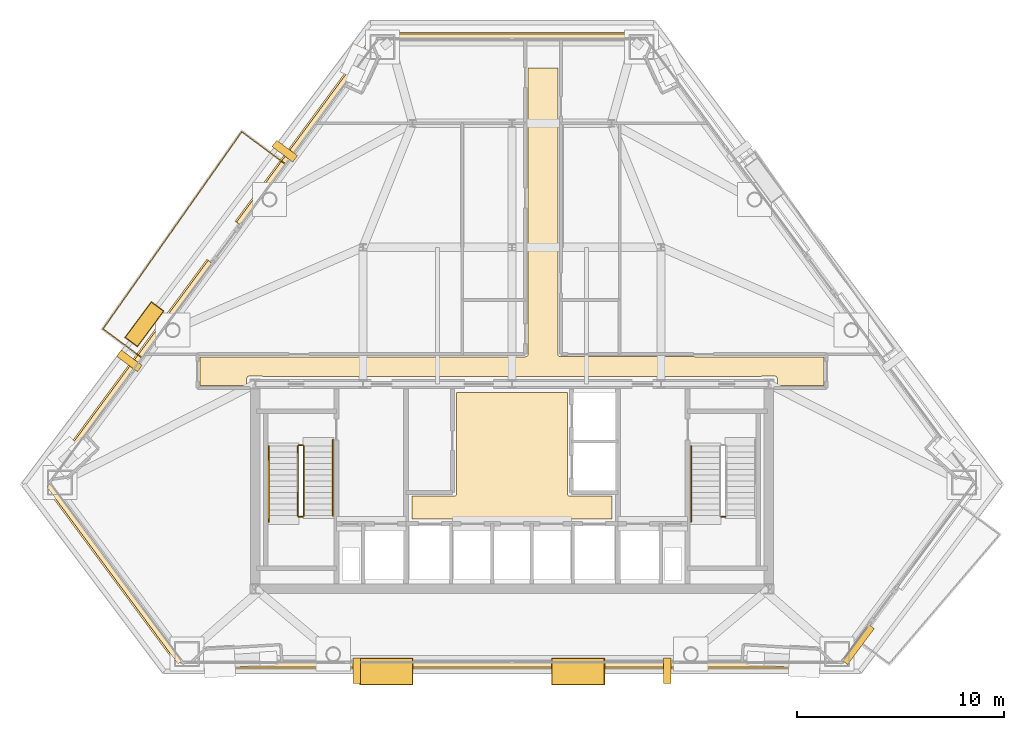
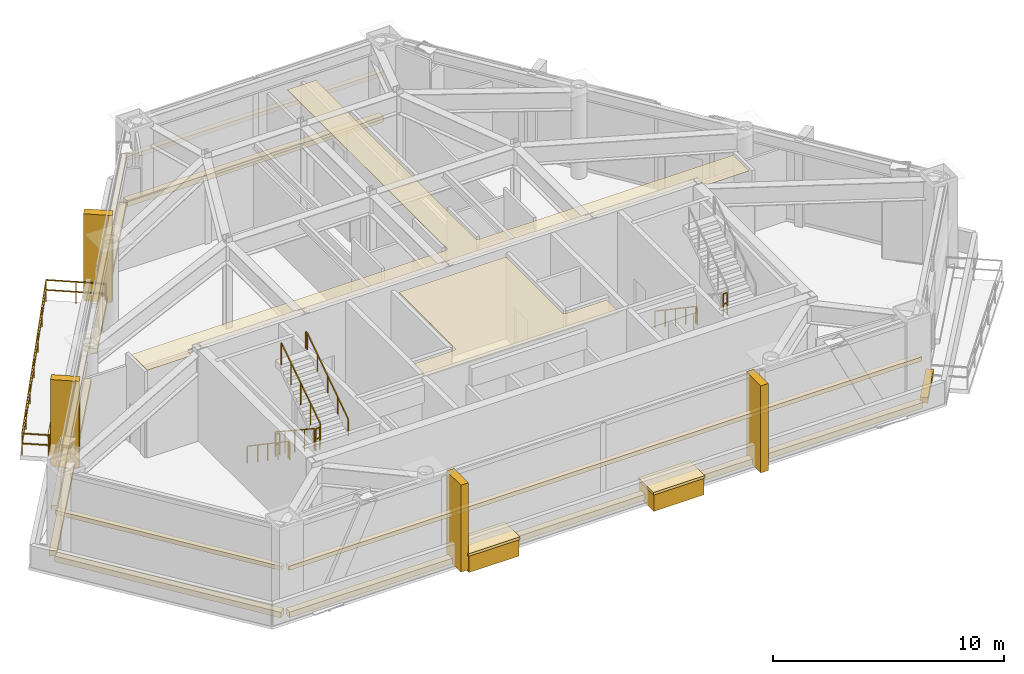
# One storey, part 8 of 9: 23 coverings, 9 railings.
"""IFC4 building model written with IfcOpenShell, lengths in metres."""

from ifc_helpers import new_model, si_unit, direction, frame, origin, origin_2d, place, context, subcontext, project, spatial, polyline, rectangle, outline, extrude, material, layer, layer_set, type_object, element, save


model = new_model("IFC4")

# Units and contexts
model_context = context("Model", 3, precision=1e-05, world=origin(), true_north=direction((0.0, 1.0)))
body_context = subcontext(model_context, "Body", "Model", "MODEL_VIEW")
ifc_project = project(units=[si_unit("LENGTHUNIT", "METRE"), si_unit("AREAUNIT", "SQUARE_METRE"), si_unit("VOLUMEUNIT", "CUBIC_METRE"), si_unit("PLANEANGLEUNIT", "RADIAN"), si_unit("MASSUNIT", "GRAM", prefix="KILO")], contexts=[model_context])

# Site, building, storey
site_placement = place(None, origin())
site = spatial("IfcSite", under=ifc_project, at=site_placement, CompositionType="ELEMENT")
building_placement = place(site_placement, origin())
building = spatial("IfcBuilding", under=site, at=building_placement, Name="Talgorran Terracotta Tower", CompositionType="ELEMENT")
storey_placement = place(building_placement, frame((0.0, 0.0, 94.800048828125)))
storey = spatial("IfcBuildingStorey", under=building, at=storey_placement, Name="L24", CompositionType="ELEMENT", Elevation=94.800048828125)

# Coverings
ifc_material_1 = material(Name="Kiln-Fired Terracotta Ochre Ceramic", Category="masonry")
ifc_layer_1 = layer(ifc_material_1, 0.179931640625, Name="COV_BAGUETTE_TERRACOTTA_SCREEN")
ifc_layer_set_1 = layer_set([ifc_layer_1], Name="Kiln-Fired Terracotta Ochre Ceramic")
covering_type_1 = type_object("IfcCoveringType", Name="COV_BAGUETTE_TERRACOTTA_SCREEN", PredefinedType="CLADDING", material=ifc_layer_set_1)
covering_1_placement = place(storey_placement, frame((-19.203857421875, -13.366455078125, 2.41015625), z_axis=(0.0, 0.0, 1.0), x_axis=(0.595173478841, -0.803597243702, 0.0)))
element("IfcCovering", 1, at=covering_1_placement, inside=storey, type_object=covering_type_1, Name="L24 Terracotta Baguette Solar Screen Assembly F0", PredefinedType="CLADDING", context=body_context, shape_type="SweptSolid", body=[
    extrude(rectangle(XDim=10.6748046875, YDim=0.260009765625, at=origin_2d()), origin(), (0.0, 0.0, 1.0), 0.219970703125),
])
covering_2_placement = place(storey_placement, frame((0.0, -17.752197265625, 2.41015625), z_axis=(0.0, 0.0, 1.0), x_axis=(1.0, 0.0, 0.0)))
element("IfcCovering", 2, at=covering_2_placement, inside=storey, type_object=covering_type_1, Name="L24 Terracotta Baguette Solar Screen Assembly F1", PredefinedType="CLADDING", context=body_context, shape_type="SweptSolid", body=[
    extrude(rectangle(XDim=31.670166015625, YDim=0.260009765625, at=origin_2d()), origin(), (0.0, 0.0, 1.0), 0.219970703125),
])
covering_3_placement = place(storey_placement, frame((0.0, 12.574951171875, 2.41015625), z_axis=(0.0, 0.0, 1.0), x_axis=(-1.0, 0.0, 0.0)))
element("IfcCovering", 3, at=covering_3_placement, inside=storey, type_object=covering_type_1, Name="L24 Terracotta Baguette Solar Screen Assembly F4", PredefinedType="CLADDING", context=body_context, shape_type="SweptSolid", body=[
    extrude(rectangle(XDim=12.790283203125, YDim=0.260009765625, at=origin_2d()), origin(), (0.0, 0.0, 1.0), 0.219970703125),
])
covering_4_placement = place(storey_placement, frame((-9.908203125, 7.993896484375, 2.41015625), z_axis=(0.0, 0.0, 1.0), x_axis=(-0.595173478841, -0.803597243702, 0.0)))
element("IfcCovering", 4, at=covering_4_placement, inside=storey, type_object=covering_type_1, Name="L24 Terracotta Baguette Solar Screen Assembly F60", PredefinedType="CLADDING", context=body_context, shape_type="SweptSolid", body=[
    extrude(rectangle(XDim=11.080322265625, YDim=0.260009765625, at=origin_2d()), origin(), (0.0, 0.0, 1.0), 0.219970703125),
])
covering_5_placement = place(storey_placement, frame((-18.465576171875, -3.56005859375, 2.41015625), z_axis=(0.0, 0.0, 1.0), x_axis=(-0.595173478841, -0.803597243702, 0.0)))
element("IfcCovering", 5, at=covering_5_placement, inside=storey, type_object=covering_type_1, Name="L24 Terracotta Baguette Solar Screen Assembly F61", PredefinedType="CLADDING", context=body_context, shape_type="SweptSolid", body=[
    extrude(rectangle(XDim=13.075439453125, YDim=0.260009765625, at=origin_2d()), origin(), (0.0, 0.0, 1.0), 0.219970703125),
])
ifc_material_2 = material(Name="Mineral Fibre Acoustic Tile")
ifc_layer_2 = layer(ifc_material_2, 0.02490234375, Name="COV_CEIL_ACOUSTIC")
ifc_layer_set_2 = layer_set([ifc_layer_2], Name="Mineral Fibre Acoustic Tile")
covering_type_2 = type_object("IfcCoveringType", Name="COV_CEIL_ACOUSTIC", PredefinedType="CEILING", material=ifc_layer_set_2)
covering_6_placement = place(storey_placement, frame((0.0, 0.0, 4.4599609375)))
element("IfcCovering", 6, at=covering_6_placement, inside=storey, type_object=covering_type_2, Name="CEIL-L24-2", PredefinedType="CEILING", context=body_context, shape_type="SweptSolid", body=[
    extrude(outline(polyline([(-12.788818359375, -3.878662109375), (-12.79296875, -3.882568359375), (-12.80078125, -3.89111328125), (-12.806396484375, -3.89794921875), (-12.813720703125, -3.907470703125), (-12.819580078125, -3.91748046875), (-12.82470703125, -3.927978515625), (-12.82861328125, -3.939208984375), (-12.83154296875, -3.95068359375), (-12.833251953125, -3.962158203125), (-12.833984375, -3.97412109375), (-12.834716796875, -4.264892578125), (-15.06494140625, -4.264892578125), (-15.06494140625, -2.885009765625), (0.64990234375, -2.885009765625), (0.66162109375, -2.884521484375), (0.67333984375, -2.8828125), (0.6845703125, -2.8798828125), (0.69287109375, -2.87744140625), (0.7041015625, -2.87353515625), (0.714599609375, -2.868408203125), (0.724853515625, -2.8623046875), (0.734375, -2.85546875), (0.742919921875, -2.847412109375), (0.7509765625, -2.8388671875), (0.756591796875, -2.83203125), (0.763671875, -2.822509765625), (0.769775390625, -2.8125), (0.774658203125, -2.8017578125), (0.77880859375, -2.79052734375), (0.781494140625, -2.779296875), (0.783203125, -2.767578125), (0.783935546875, -2.755615234375), (0.784912109375, 11.06494140625), (2.215087890625, 11.06494140625), (2.215087890625, -2.75), (2.215576171875, -2.76171875), (2.21728515625, -2.773193359375), (2.22021484375, -2.78466796875), (2.22265625, -2.79296875), (2.2265625, -2.803955078125), (2.231689453125, -2.814697265625), (2.237548828125, -2.82470703125), (2.24462890625, -2.834228515625), (2.25244140625, -2.843017578125), (2.26123046875, -2.850830078125), (2.26806640625, -2.8564453125), (2.277587890625, -2.863525390625), (2.28759765625, -2.86962890625), (2.29833984375, -2.874755859375), (2.309326171875, -2.878662109375), (2.32080078125, -2.881591796875), (2.33251953125, -2.88330078125), (2.34423828125, -2.8837890625), (15.06494140625, -2.885009765625), (15.06494140625, -4.264892578125), (12.8349609375, -4.264892578125), (12.834716796875, -3.97705078125), (12.833984375, -3.96533203125), (12.83251953125, -3.95361328125), (12.82958984375, -3.9423828125), (12.82568359375, -3.931396484375), (12.820556640625, -3.920654296875), (12.81640625, -3.9130859375), (12.810302734375, -3.90283203125), (12.803466796875, -3.893310546875), (12.79541015625, -3.884521484375), (12.78857421875, -3.87841796875), (12.785888671875, -3.872314453125), (12.77978515625, -3.8623046875), (12.772705078125, -3.852783203125), (12.764892578125, -3.843994140625), (12.756103515625, -3.836181640625), (12.74658203125, -3.8291015625), (12.736572265625, -3.8232421875), (12.725830078125, -3.818115234375), (12.71484375, -3.814208984375), (12.703369140625, -3.811279296875), (12.69189453125, -3.8095703125), (12.679931640625, -3.80908203125), (12.1201171875, -3.80908203125), (12.108154296875, -3.8095703125), (12.0966796875, -3.811279296875), (12.085205078125, -3.814208984375), (12.07421875, -3.818115234375), (12.0634765625, -3.8232421875), (12.05322265625, -3.8291015625), (12.0439453125, -3.836181640625), (12.03515625, -3.843994140625), (12.034423828125, -3.844970703125), (7.432861328125, -3.844970703125), (6.968017578125, -3.843017578125), (6.967529296875, -3.843017578125), (0.232666015625, -3.844970703125), (-0.23193359375, -3.843017578125), (-0.232421875, -3.843017578125), (-6.96728515625, -3.844970703125), (-7.431884765625, -3.843017578125), (-7.4326171875, -3.843017578125), (-12.034423828125, -3.844970703125), (-12.03515625, -3.843994140625), (-12.0439453125, -3.836181640625), (-12.05322265625, -3.8291015625), (-12.0634765625, -3.8232421875), (-12.07421875, -3.818115234375), (-12.085205078125, -3.814208984375), (-12.0966796875, -3.811279296875), (-12.108154296875, -3.8095703125), (-12.1201171875, -3.80908203125), (-12.679931640625, -3.80908203125), (-12.69189453125, -3.8095703125), (-12.703369140625, -3.811279296875), (-12.71484375, -3.814208984375), (-12.725830078125, -3.818115234375), (-12.736572265625, -3.8232421875), (-12.74658203125, -3.8291015625), (-12.756103515625, -3.836181640625), (-12.764892578125, -3.843994140625), (-12.772705078125, -3.852783203125), (-12.77978515625, -3.8623046875), (-12.785888671875, -3.872314453125), (-12.788818359375, -3.878662109375)])), origin(), (0.0, 0.0, 1.0), 0.02001953125),
])
ifc_material_3 = material(Name="Flush Moisture-Resistant Plaster")
ifc_layer_3 = layer(ifc_material_3, 0.01806640625, Name="COV_CEIL_PLASTER")
ifc_layer_set_3 = layer_set([ifc_layer_3], Name="Flush Moisture-Resistant Plaster")
covering_type_3 = type_object("IfcCoveringType", Name="COV_CEIL_PLASTER", PredefinedType="CEILING", material=ifc_layer_set_3)
covering_7_placement = place(storey_placement, frame((0.0, 0.0, 4.4599609375)))
element("IfcCovering", 7, at=covering_7_placement, inside=storey, type_object=covering_type_3, Name="CEIL-L24-1", PredefinedType="CEILING", context=body_context, shape_type="SweptSolid", body=[
    extrude(outline(polyline([(-4.830078125, -9.6201171875), (-2.800048828125, -9.6201171875), (-2.7880859375, -9.619384765625), (-2.776611328125, -9.61767578125), (-2.76513671875, -9.61474609375), (-2.754150390625, -9.61083984375), (-2.743408203125, -9.605712890625), (-2.7333984375, -9.599853515625), (-2.723876953125, -9.5927734375), (-2.715087890625, -9.5849609375), (-2.707275390625, -9.576171875), (-2.7001953125, -9.566650390625), (-2.694091796875, -9.556640625), (-2.689208984375, -9.5458984375), (-2.685302734375, -9.534912109375), (-2.682373046875, -9.5234375), (-2.6806640625, -9.51171875), (-2.679931640625, -9.5), (-2.679931640625, -4.6201171875), (2.679931640625, -4.6201171875), (2.679931640625, -9.5), (2.6806640625, -9.51171875), (2.682373046875, -9.5234375), (2.685302734375, -9.534912109375), (2.689208984375, -9.5458984375), (2.694091796875, -9.556640625), (2.7001953125, -9.566650390625), (2.707275390625, -9.576171875), (2.715087890625, -9.5849609375), (2.723876953125, -9.5927734375), (2.7333984375, -9.599853515625), (2.743408203125, -9.605712890625), (2.754150390625, -9.61083984375), (2.76513671875, -9.61474609375), (2.776611328125, -9.61767578125), (2.7880859375, -9.619384765625), (2.800048828125, -9.6201171875), (4.830078125, -9.6201171875), (4.830078125, -10.72998046875), (-4.830078125, -10.72998046875), (-4.830078125, -9.6201171875)])), origin(), (0.0, 0.0, 1.0), 0.02001953125),
])
ifc_material_4 = material(Name="Honed Limestone and Terracotta Planter", Category="masonry")
ifc_layer_4 = layer(ifc_material_4, 0.1201171875, Name="COV_PLANTER_BOX")
ifc_layer_set_4 = layer_set([ifc_layer_4], Name="Honed Limestone and Terracotta Planter")
covering_type_4 = type_object("IfcCoveringType", Name="COV_PLANTER_BOX", PredefinedType="CLADDING", material=ifc_layer_set_4)
for number, where, z_axis, x_axis, name in (
    (8, (3.193115234375, -18.09228515625, -0.179931640625), (0.0, 0.0, 1.0), (1.0, 0.0, 0.0), "L24 Staggered South Facade Planter Box 1"),
    (9, (-6.06689453125, -18.09228515625, -0.179931640625), (0.0, 0.0, 1.0), (1.0, 0.0, 0.0), "L24 Staggered South Facade Planter Box 2"),
):
    element("IfcCovering", number, at=place(storey_placement, frame(where, z_axis=z_axis, x_axis=x_axis)), inside=storey, type_object=covering_type_4, Name=name, PredefinedType="CLADDING", context=body_context, shape_type="SweptSolid", body=[
        extrude(rectangle(XDim=2.5, YDim=1.25, at=origin_2d()), origin(), (0.0, 0.0, 1.0), 0.919921875),
    ])
covering_8_placement = place(storey_placement, frame((-17.760498046875, -1.314208984375, -0.02001953125), z_axis=(0.0, 0.0, 1.0), x_axis=(-0.595173478841, -0.803597243702, 0.0)))
element("IfcCovering", 10, at=covering_8_placement, inside=storey, type_object=covering_type_4, Name="L24 Staggered Balcony Planter Box BAL-NW", PredefinedType="CLADDING", context=body_context, shape_type="SweptSolid", body=[
    extrude(rectangle(XDim=2.10009765625, YDim=0.719970703125, at=origin_2d()), origin(), (0.0, 0.0, 1.0), 0.860107421875),
])
ifc_material_5 = material(Name="Kiln-Fired Terracotta Planter Rim", Category="masonry")
ifc_layer_5 = layer(ifc_material_5, 0.10009765625, Name="COV_PLANTER_RIM")
ifc_layer_set_5 = layer_set([ifc_layer_5], Name="Kiln-Fired Terracotta Planter Rim")
covering_type_5 = type_object("IfcCoveringType", Name="COV_PLANTER_RIM", PredefinedType="CLADDING", material=ifc_layer_set_5)
for number, where, z_axis, x_axis, name in (
    (11, (3.193115234375, -18.09228515625, 0.7099609375), (0.0, 0.0, 1.0), (1.0, 0.0, 0.0), "L24 South Planter Terracotta Rim 1"),
    (12, (-6.06689453125, -18.09228515625, 0.7099609375), (0.0, 0.0, 1.0), (1.0, 0.0, 0.0), "L24 South Planter Terracotta Rim 2"),
):
    element("IfcCovering", number, at=place(storey_placement, frame(where, z_axis=z_axis, x_axis=x_axis)), inside=storey, type_object=covering_type_5, Name=name, PredefinedType="CLADDING", context=body_context, shape_type="SweptSolid", body=[
        extrude(rectangle(XDim=2.580078125, YDim=1.320068359375, at=origin_2d()), origin(), (0.0, 0.0, 1.0), 0.139892578125),
    ])
covering_9_placement = place(storey_placement, frame((-17.760498046875, -1.314208984375, 0.7998046875), z_axis=(0.0, 0.0, 1.0), x_axis=(-0.595173478841, -0.803597243702, 0.0)))
element("IfcCovering", 13, at=covering_9_placement, inside=storey, type_object=covering_type_5, Name="L24 Balcony Planter Terracotta Rim BAL-NW", PredefinedType="CLADDING", context=body_context, shape_type="SweptSolid", body=[
    extrude(rectangle(XDim=2.179931640625, YDim=0.780029296875, at=origin_2d()), origin(), (0.0, 0.0, 1.0), 0.1201171875),
])
ifc_material_6 = material(Name="Honed Limestone Cladding", Category="masonry")
ifc_layer_6 = layer(ifc_material_6, 0.094970703125, Name="COV_PORTAL_LIME")
ifc_layer_set_6 = layer_set([ifc_layer_6], Name="Honed Limestone Cladding")
covering_type_6 = type_object("IfcCoveringType", Name="COV_PORTAL_LIME", PredefinedType="CLADDING", material=ifc_layer_set_6)
covering_10_placement = place(storey_placement, frame((-19.236083984375, -13.39013671875, -0.0400390625), z_axis=(0.0, 0.0, 1.0), x_axis=(0.595173478841, -0.803597243702, 0.0)))
element("IfcCovering", 14, at=covering_10_placement, inside=storey, type_object=covering_type_6, Name="L24 Striped Postmodern Portal Cladding Band F0", PredefinedType="CLADDING", context=body_context, shape_type="SweptSolid", body=[
    extrude(rectangle(XDim=10.69482421875, YDim=0.340087890625, at=origin_2d()), origin(), (0.0, 0.0, 1.0), 0.300048828125),
])
covering_11_placement = place(storey_placement, frame((0.0, -17.792236328125, -0.0400390625), z_axis=(0.0, 0.0, 1.0), x_axis=(1.0, 0.0, 0.0)))
element("IfcCovering", 15, at=covering_11_placement, inside=storey, type_object=covering_type_6, Name="L24 Striped Postmodern Portal Cladding Band F1", PredefinedType="CLADDING", context=body_context, shape_type="SweptSolid", body=[
    extrude(rectangle(XDim=31.690185546875, YDim=0.340087890625, at=origin_2d()), origin(), (0.0, 0.0, 1.0), 0.300048828125),
])
covering_12_placement = place(storey_placement, frame((16.72119140625, -16.785400390625, -0.0400390625), z_axis=(0.0, 0.0, 1.0), x_axis=(0.595159453332, 0.803607631316, 0.0)))
element("IfcCovering", 16, at=covering_12_placement, inside=storey, type_object=covering_type_6, Name="L24 Striped Postmodern Portal Cladding Band F30", PredefinedType="CLADDING", context=body_context, shape_type="SweptSolid", body=[
    extrude(rectangle(XDim=2.16455078125, YDim=0.340087890625, at=origin_2d()), origin(), (0.0, 0.0, 1.0), 0.300048828125),
])
covering_13_placement = place(storey_placement, frame((0.0, 12.614990234375, -0.0400390625), z_axis=(0.0, 0.0, 1.0), x_axis=(-1.0, 0.0, 0.0)))
element("IfcCovering", 17, at=covering_13_placement, inside=storey, type_object=covering_type_6, Name="L24 Striped Postmodern Portal Cladding Band F4", PredefinedType="CLADDING", context=body_context, shape_type="SweptSolid", body=[
    extrude(rectangle(XDim=12.810302734375, YDim=0.340087890625, at=origin_2d()), origin(), (0.0, 0.0, 1.0), 0.300048828125),
])
covering_14_placement = place(storey_placement, frame((-9.9404296875, 8.017822265625, -0.0400390625), z_axis=(0.0, 0.0, 1.0), x_axis=(-0.595173478841, -0.803597243702, 0.0)))
element("IfcCovering", 18, at=covering_14_placement, inside=storey, type_object=covering_type_6, Name="L24 Striped Postmodern Portal Cladding Band F60", PredefinedType="CLADDING", context=body_context, shape_type="SweptSolid", body=[
    extrude(rectangle(XDim=11.100341796875, YDim=0.340087890625, at=origin_2d()), origin(), (0.0, 0.0, 1.0), 0.300048828125),
])
covering_15_placement = place(storey_placement, frame((-18.497802734375, -3.5361328125, -0.0400390625), z_axis=(0.0, 0.0, 1.0), x_axis=(-0.595173478841, -0.803597243702, 0.0)))
element("IfcCovering", 19, at=covering_15_placement, inside=storey, type_object=covering_type_6, Name="L24 Striped Postmodern Portal Cladding Band F61", PredefinedType="CLADDING", context=body_context, shape_type="SweptSolid", body=[
    extrude(rectangle(XDim=13.095458984375, YDim=0.340087890625, at=origin_2d()), origin(), (0.0, 0.0, 1.0), 0.300048828125),
])
for number, where, z_axis, x_axis, name in (
    (20, (7.50390625, -18.05224609375, -0.050048828125), (0.0, 0.0, 1.0), (1.0, 0.0, 0.0), "L24 White Striped Portal Fin F1-2"),
    (21, (-18.485107421875, -3.08251953125, -0.050048828125), (0.0, 0.0, 1.0), (-0.595173478841, -0.803597243702, 0.0), "L24 White Striped Portal Fin F5-2"),
):
    element("IfcCovering", number, at=place(storey_placement, frame(where, z_axis=z_axis, x_axis=x_axis)), inside=storey, type_object=covering_type_6, Name=name, PredefinedType="CLADDING", context=body_context, shape_type="SweptSolid", body=[
        extrude(rectangle(XDim=0.3798828125, YDim=1.25, at=origin_2d()), origin(), (0.0, 0.0, 1.0), 4.60009765625),
    ])
ifc_material_7 = material(Name="Kiln-Fired Terracotta Cladding", Category="masonry")
ifc_layer_7 = layer(ifc_material_7, 0.090087890625, Name="COV_PORTAL_TERRA")
ifc_layer_set_7 = layer_set([ifc_layer_7], Name="Kiln-Fired Terracotta Cladding")
covering_type_7 = type_object("IfcCoveringType", Name="COV_PORTAL_TERRA", PredefinedType="CLADDING", material=ifc_layer_set_7)
for number, where, z_axis, x_axis, name in (
    (22, (-7.50390625, -18.05224609375, -0.050048828125), (0.0, 0.0, 1.0), (1.0, 0.0, 0.0), "L24 Terracotta Striped Portal Fin F1-1"),
    (23, (-10.9814453125, 7.049072265625, -0.050048828125), (0.0, 0.0, 1.0), (-0.595173478841, -0.803597243702, 0.0), "L24 Terracotta Striped Portal Fin F5-1"),
):
    element("IfcCovering", number, at=place(storey_placement, frame(where, z_axis=z_axis, x_axis=x_axis)), inside=storey, type_object=covering_type_7, Name=name, PredefinedType="CLADDING", context=body_context, shape_type="SweptSolid", body=[
        extrude(rectangle(XDim=0.3798828125, YDim=1.25, at=origin_2d()), origin(), (0.0, 0.0, 1.0), 4.60009765625),
    ])

# Railings
ifc_material_8 = material(Name="Laminated Glass and Stainless Steel 316", Category="steel")
railing_type_1 = type_object("IfcRailingType", Name="RL_BALCONY_1150", PredefinedType="BALUSTRADE", material=ifc_material_8)
railing_1_placement = place(storey_placement, frame((-10.963134765625, 6.435302734375, 0.0)))
element("IfcRailing", 24, at=railing_1_placement, inside=storey, type_object=railing_type_1, Name="RL-L24-BAL-BAL-NW", PredefinedType="BALUSTRADE", context=body_context, shape_type="SweptSolid", body=[
    extrude(rectangle(XDim=0.048095703125, YDim=0.048095703125, at=origin_2d()), frame((0.0, 0.0, 1.1259765625), z_axis=(-0.80359537444, 0.59517600269, 0.0), x_axis=(-0.59517600269, -0.80359537444, 0.0)), (0.0, 0.0, 1.0), 2.605224609375),
    extrude(rectangle(XDim=0.048095703125, YDim=0.048095703125, at=origin_2d()), frame((0.0, 0.0, 0.597900390625), z_axis=(-0.80359537444, 0.59517600269, 0.0), x_axis=(-0.59517600269, -0.80359537444, 0.0)), (0.0, 0.0, 1.0), 2.605224609375),
    extrude(rectangle(XDim=0.048095703125, YDim=0.048095703125, at=origin_2d()), frame((-2.093505859375, 1.550537109375, 1.1259765625), z_axis=(-0.575485098049, -0.817812265697, 0.0), x_axis=(0.817812265697, -0.575485098049, 0.0)), (0.0, 0.0, 1.0), 11.646484375),
    extrude(rectangle(XDim=0.048095703125, YDim=0.048095703125, at=origin_2d()), frame((-2.093505859375, 1.550537109375, 0.597900390625), z_axis=(-0.575485098049, -0.817812265697, 0.0), x_axis=(0.817812265697, -0.575485098049, 0.0)), (0.0, 0.0, 1.0), 11.646484375),
    extrude(rectangle(XDim=0.048095703125, YDim=0.048095703125, at=origin_2d()), frame((-8.7958984375, -7.97412109375, 1.1259765625), z_axis=(0.803618647188, -0.595144578981, 0.0), x_axis=(0.595144578981, 0.803618647188, 0.0)), (0.0, 0.0, 1.0), 2.322265625),
    extrude(rectangle(XDim=0.048095703125, YDim=0.048095703125, at=origin_2d()), frame((-8.7958984375, -7.97412109375, 0.597900390625), z_axis=(0.803618647188, -0.595144578981, 0.0), x_axis=(0.595144578981, 0.803618647188, 0.0)), (0.0, 0.0, 1.0), 2.322265625),
    extrude(rectangle(XDim=0.0419921875, YDim=0.0419921875, at=origin_2d()), origin(), (0.0, 0.0, 1.0), 1.101806640625),
    extrude(rectangle(XDim=0.0419921875, YDim=0.0419921875, at=origin_2d()), frame((-1.046875, 0.775390625, 0.0)), (0.0, 0.0, 1.0), 1.101806640625),
    extrude(rectangle(XDim=0.0419921875, YDim=0.0419921875, at=origin_2d()), frame((-2.093505859375, 1.550537109375, 0.0)), (0.0, 0.0, 1.0), 1.101806640625),
    extrude(rectangle(XDim=0.0419921875, YDim=0.0419921875, at=origin_2d()), frame((-3.21044921875, -0.036865234375, 0.0)), (0.0, 0.0, 1.0), 1.101806640625),
    extrude(rectangle(XDim=0.0419921875, YDim=0.0419921875, at=origin_2d()), frame((-4.32763671875, -1.624267578125, 0.0)), (0.0, 0.0, 1.0), 1.101806640625),
    extrude(rectangle(XDim=0.0419921875, YDim=0.0419921875, at=origin_2d()), frame((-5.44482421875, -3.2119140625, 0.0)), (0.0, 0.0, 1.0), 1.101806640625),
    extrude(rectangle(XDim=0.0419921875, YDim=0.0419921875, at=origin_2d()), frame((-6.561767578125, -4.79931640625, 0.0)), (0.0, 0.0, 1.0), 1.101806640625),
    extrude(rectangle(XDim=0.0419921875, YDim=0.0419921875, at=origin_2d()), frame((-7.6787109375, -6.38671875, 0.0)), (0.0, 0.0, 1.0), 1.101806640625),
    extrude(rectangle(XDim=0.0419921875, YDim=0.0419921875, at=origin_2d()), frame((-8.7958984375, -7.97412109375, 0.0)), (0.0, 0.0, 1.0), 1.101806640625),
    extrude(rectangle(XDim=0.0419921875, YDim=0.0419921875, at=origin_2d()), frame((-7.86279296875, -8.6650390625, 0.0)), (0.0, 0.0, 1.0), 1.101806640625),
    extrude(rectangle(XDim=0.0419921875, YDim=0.0419921875, at=origin_2d()), frame((-6.9296875, -9.356201171875, 0.0)), (0.0, 0.0, 1.0), 1.101806640625),
])
ifc_material_9 = material(Name="Steel S355 (300PLUS)", Category="steel")
railing_type_2 = type_object("IfcRailingType", Name="RL_HANDRAIL_920", PredefinedType="HANDRAIL", material=ifc_material_9)
railing_2_placement = place(storey_placement, frame((-11.75, -7.199951171875, 0.1845703125)))
element("IfcRailing", 25, at=railing_2_placement, inside=storey, type_object=railing_type_2, Name="L24 ST-01 stair handrail 1", PredefinedType="HANDRAIL", context=body_context, shape_type="SweptSolid", body=[
    extrude(rectangle(XDim=0.048095703125, YDim=0.048095703125, at=origin_2d()), frame((0.0, 0.0, 0.89599609375), z_axis=(0.0, -0.827721979786, 0.561138418021), x_axis=(1.0, 0.0, 0.0)), (0.0, 0.0, 1.0), 4.27685546875),
    extrude(rectangle(XDim=0.048095703125, YDim=0.048095703125, at=origin_2d()), frame((0.0, -3.5400390625, 3.2958984375), z_axis=(0.0, -1.0, 0.0), x_axis=(1.0, 0.0, 0.0)), (0.0, 0.0, 1.0), 0.1201171875),
    extrude(rectangle(XDim=0.0419921875, YDim=0.0419921875, at=origin_2d()), origin(), (0.0, 0.0, 1.0), 0.871826171875),
    extrude(rectangle(XDim=0.0419921875, YDim=0.0419921875, at=origin_2d()), frame((0.0, -0.885009765625, 0.60009765625)), (0.0, 0.0, 1.0), 0.871826171875),
    extrude(rectangle(XDim=0.0419921875, YDim=0.0419921875, at=origin_2d()), frame((0.0, -1.77001953125, 1.199951171875)), (0.0, 0.0, 1.0), 0.871826171875),
    extrude(rectangle(XDim=0.0419921875, YDim=0.0419921875, at=origin_2d()), frame((0.0, -2.655029296875, 1.7998046875)), (0.0, 0.0, 1.0), 0.871826171875),
    extrude(rectangle(XDim=0.0419921875, YDim=0.0419921875, at=origin_2d()), frame((0.0, -3.5400390625, 2.39990234375)), (0.0, 0.0, 1.0), 0.871826171875),
    extrude(rectangle(XDim=0.0419921875, YDim=0.0419921875, at=origin_2d()), frame((0.0, -3.66015625, 2.39990234375)), (0.0, 0.0, 1.0), 0.871826171875),
])
railing_3_placement = place(storey_placement, frame((-8.64990234375, -10.56005859375, 2.58447265625)))
element("IfcRailing", 26, at=railing_3_placement, inside=storey, type_object=railing_type_2, Name="L24 ST-01 stair handrail 2", PredefinedType="HANDRAIL", context=body_context, shape_type="SweptSolid", body=[
    extrude(rectangle(XDim=0.048095703125, YDim=0.048095703125, at=origin_2d()), frame((0.0, 0.0, 0.89599609375), z_axis=(0.0, 0.827695465973, 0.561177525929), x_axis=(-1.0, 0.0, 0.0)), (0.0, 0.0, 1.0), 4.277099609375),
    extrude(rectangle(XDim=0.048095703125, YDim=0.048095703125, at=origin_2d()), frame((0.0, 3.5400390625, 3.2958984375), z_axis=(0.0, 1.0, 0.0), x_axis=(-1.0, 0.0, 0.0)), (0.0, 0.0, 1.0), 0.1201171875),
    extrude(rectangle(XDim=0.0419921875, YDim=0.0419921875, at=origin_2d()), origin(), (0.0, 0.0, 1.0), 0.871826171875),
    extrude(rectangle(XDim=0.0419921875, YDim=0.0419921875, at=origin_2d()), frame((0.0, 0.885009765625, 0.60009765625)), (0.0, 0.0, 1.0), 0.871826171875),
    extrude(rectangle(XDim=0.0419921875, YDim=0.0419921875, at=origin_2d()), frame((0.0, 1.77001953125, 1.2001953125)), (0.0, 0.0, 1.0), 0.871826171875),
    extrude(rectangle(XDim=0.0419921875, YDim=0.0419921875, at=origin_2d()), frame((0.0, 2.655029296875, 1.800048828125)), (0.0, 0.0, 1.0), 0.871826171875),
    extrude(rectangle(XDim=0.0419921875, YDim=0.0419921875, at=origin_2d()), frame((0.0, 3.5400390625, 2.400146484375)), (0.0, 0.0, 1.0), 0.871826171875),
    extrude(rectangle(XDim=0.0419921875, YDim=0.0419921875, at=origin_2d()), frame((0.0, 3.66015625, 2.400146484375)), (0.0, 0.0, 1.0), 0.871826171875),
])
railing_4_placement = place(storey_placement, frame((8.64990234375, -7.199951171875, 0.1845703125)))
element("IfcRailing", 27, at=railing_4_placement, inside=storey, type_object=railing_type_2, Name="L24 ST-02 stair handrail 1", PredefinedType="HANDRAIL", context=body_context, shape_type="SweptSolid", body=[
    extrude(rectangle(XDim=0.048095703125, YDim=0.048095703125, at=origin_2d()), frame((0.0, 0.0, 0.89599609375), z_axis=(0.0, -0.827721979786, 0.561138418021), x_axis=(1.0, 0.0, 0.0)), (0.0, 0.0, 1.0), 4.27685546875),
    extrude(rectangle(XDim=0.048095703125, YDim=0.048095703125, at=origin_2d()), frame((0.0, -3.5400390625, 3.2958984375), z_axis=(0.0, -1.0, 0.0), x_axis=(1.0, 0.0, 0.0)), (0.0, 0.0, 1.0), 0.1201171875),
    extrude(rectangle(XDim=0.0419921875, YDim=0.0419921875, at=origin_2d()), origin(), (0.0, 0.0, 1.0), 0.871826171875),
    extrude(rectangle(XDim=0.0419921875, YDim=0.0419921875, at=origin_2d()), frame((0.0, -0.885009765625, 0.60009765625)), (0.0, 0.0, 1.0), 0.871826171875),
    extrude(rectangle(XDim=0.0419921875, YDim=0.0419921875, at=origin_2d()), frame((0.0, -1.77001953125, 1.199951171875)), (0.0, 0.0, 1.0), 0.871826171875),
    extrude(rectangle(XDim=0.0419921875, YDim=0.0419921875, at=origin_2d()), frame((0.0, -2.655029296875, 1.7998046875)), (0.0, 0.0, 1.0), 0.871826171875),
    extrude(rectangle(XDim=0.0419921875, YDim=0.0419921875, at=origin_2d()), frame((0.0, -3.5400390625, 2.39990234375)), (0.0, 0.0, 1.0), 0.871826171875),
    extrude(rectangle(XDim=0.0419921875, YDim=0.0419921875, at=origin_2d()), frame((0.0, -3.66015625, 2.39990234375)), (0.0, 0.0, 1.0), 0.871826171875),
])
railing_type_3 = type_object("IfcRailingType", Name="RL_STAIR_GUARD", PredefinedType="GUARDRAIL", material=ifc_material_9)
railing_5_placement = place(storey_placement, frame((-10.35009765625, -7.199951171875, 0.1845703125)))
element("IfcRailing", 28, at=railing_5_placement, inside=storey, type_object=railing_type_3, Name="L24 ST-01 stair guard 1", PredefinedType="GUARDRAIL", context=body_context, shape_type="SweptSolid", body=[
    extrude(rectangle(XDim=0.048095703125, YDim=0.048095703125, at=origin_2d()), frame((0.0, 0.0, 1.15576171875), z_axis=(0.0, -0.834876476806, 0.550437342915), x_axis=(1.0, 0.0, 0.0)), (0.0, 0.0, 1.0), 4.024658203125),
    extrude(rectangle(XDim=0.0419921875, YDim=0.0419921875, at=origin_2d()), origin(), (0.0, 0.0, 1.0), 1.1318359375),
    extrude(rectangle(XDim=0.0419921875, YDim=0.0419921875, at=origin_2d()), frame((0.0, -0.840087890625, 0.5537109375)), (0.0, 0.0, 1.0), 1.1318359375),
    extrude(rectangle(XDim=0.0419921875, YDim=0.0419921875, at=origin_2d()), frame((0.0, -1.68017578125, 1.107666015625)), (0.0, 0.0, 1.0), 1.1318359375),
    extrude(rectangle(XDim=0.0419921875, YDim=0.0419921875, at=origin_2d()), frame((0.0, -2.52001953125, 1.66162109375)), (0.0, 0.0, 1.0), 1.1318359375),
    extrude(rectangle(XDim=0.0419921875, YDim=0.0419921875, at=origin_2d()), frame((0.0, -3.360107421875, 2.21533203125)), (0.0, 0.0, 1.0), 1.1318359375),
])
railing_6_placement = place(storey_placement, frame((-10.300048828125, -10.610107421875, 2.39990234375)))
element("IfcRailing", 29, at=railing_6_placement, inside=storey, type_object=railing_type_3, Name="L24 ST-01 stair guard 2", PredefinedType="GUARDRAIL", context=body_context, shape_type="SweptSolid", body=[
    extrude(rectangle(XDim=0.048095703125, YDim=0.048095703125, at=origin_2d()), frame((0.0, 0.0, 1.15576171875), z_axis=(1.0, 0.0, 0.0), x_axis=(0.0, 1.0, 0.0)), (0.0, 0.0, 1.0), 0.199951171875),
    extrude(rectangle(XDim=0.048095703125, YDim=0.048095703125, at=origin_2d()), frame((0.0, 0.0, 0.613525390625), z_axis=(1.0, 0.0, 0.0), x_axis=(0.0, 1.0, 0.0)), (0.0, 0.0, 1.0), 0.199951171875),
    extrude(rectangle(XDim=0.0419921875, YDim=0.0419921875, at=origin_2d()), origin(), (0.0, 0.0, 1.0), 1.1318359375),
    extrude(rectangle(XDim=0.0419921875, YDim=0.0419921875, at=origin_2d()), frame((0.199951171875, 0.0, 0.0)), (0.0, 0.0, 1.0), 1.1318359375),
])
railing_7_placement = place(storey_placement, frame((-10.050048828125, -10.56005859375, 2.58447265625)))
element("IfcRailing", 30, at=railing_7_placement, inside=storey, type_object=railing_type_3, Name="L24 ST-01 stair guard 3", PredefinedType="GUARDRAIL", context=body_context, shape_type="SweptSolid", body=[
    extrude(rectangle(XDim=0.048095703125, YDim=0.048095703125, at=origin_2d()), frame((0.0, 0.0, 1.15576171875), z_axis=(0.0, 0.834848600103, 0.550479622607), x_axis=(-1.0, 0.0, 0.0)), (0.0, 0.0, 1.0), 4.02490234375),
    extrude(rectangle(XDim=0.0419921875, YDim=0.0419921875, at=origin_2d()), origin(), (0.0, 0.0, 1.0), 1.1318359375),
    extrude(rectangle(XDim=0.0419921875, YDim=0.0419921875, at=origin_2d()), frame((0.0, 0.840087890625, 0.553955078125)), (0.0, 0.0, 1.0), 1.1318359375),
    extrude(rectangle(XDim=0.0419921875, YDim=0.0419921875, at=origin_2d()), frame((0.0, 1.68017578125, 1.10791015625)), (0.0, 0.0, 1.0), 1.1318359375),
    extrude(rectangle(XDim=0.0419921875, YDim=0.0419921875, at=origin_2d()), frame((0.0, 2.52001953125, 1.66162109375)), (0.0, 0.0, 1.0), 1.1318359375),
    extrude(rectangle(XDim=0.0419921875, YDim=0.0419921875, at=origin_2d()), frame((0.0, 3.360107421875, 2.215576171875)), (0.0, 0.0, 1.0), 1.1318359375),
])
for number, where, name in (
    (31, (-10.300048828125, -7.14990234375, 0.0), "L24 ST-01 stair guard 4"),
    (32, (10.10009765625, -10.610107421875, 2.39990234375), "L24 ST-02 stair guard 2"),
):
    element("IfcRailing", number, at=place(storey_placement, frame(where)), inside=storey, type_object=railing_type_3, Name=name, PredefinedType="GUARDRAIL", context=body_context, shape_type="SweptSolid", body=[
        extrude(rectangle(XDim=0.048095703125, YDim=0.048095703125, at=origin_2d()), frame((0.0, 0.0, 1.15576171875), z_axis=(1.0, 0.0, 0.0), x_axis=(0.0, 1.0, 0.0)), (0.0, 0.0, 1.0), 0.199951171875),
        extrude(rectangle(XDim=0.048095703125, YDim=0.048095703125, at=origin_2d()), frame((0.0, 0.0, 0.613525390625), z_axis=(1.0, 0.0, 0.0), x_axis=(0.0, 1.0, 0.0)), (0.0, 0.0, 1.0), 0.199951171875),
        extrude(rectangle(XDim=0.0419921875, YDim=0.0419921875, at=origin_2d()), origin(), (0.0, 0.0, 1.0), 1.1318359375),
        extrude(rectangle(XDim=0.0419921875, YDim=0.0419921875, at=origin_2d()), frame((0.199951171875, 0.0, 0.0)), (0.0, 0.0, 1.0), 1.1318359375),
    ])

save(model, "model.ifc")
